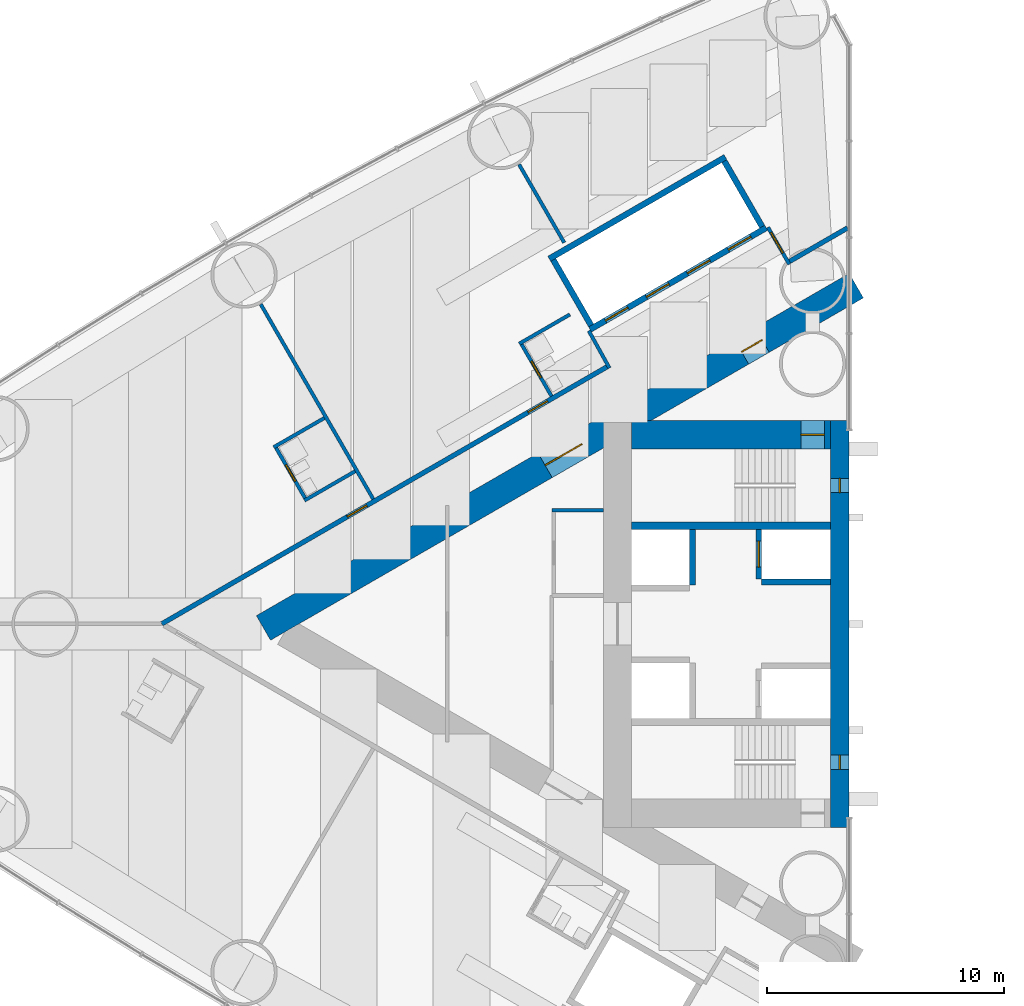
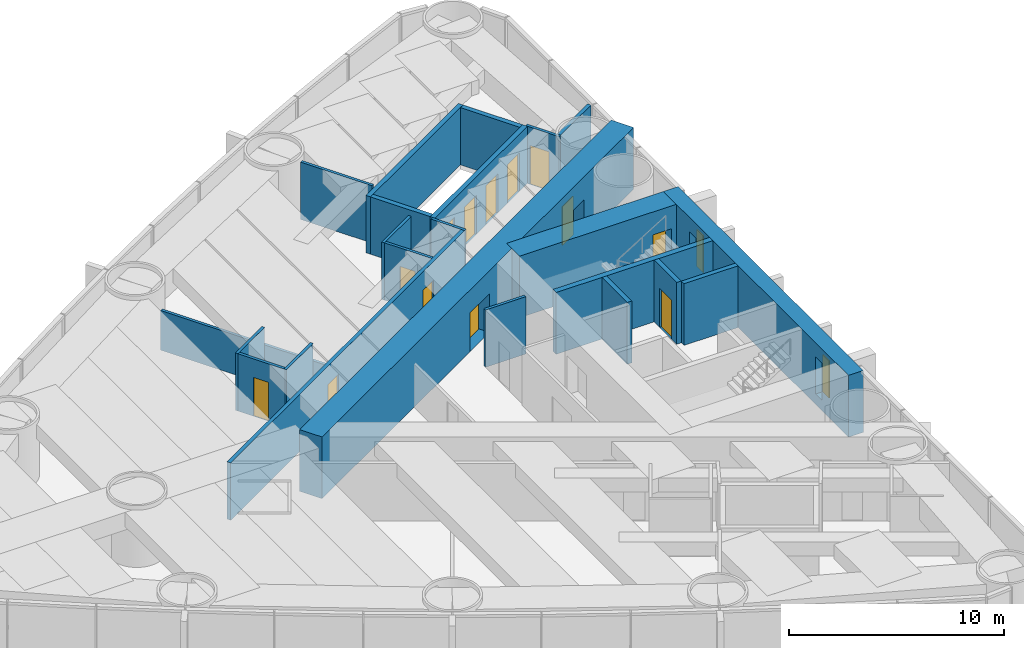
# One storey, part 12 of 18: 23 walls, 13 doors, 2 windows, 15 openings.
"""IFC4 building model written with IfcOpenShell, lengths in metres."""

from ifc_helpers import new_model, si_unit, direction, frame, frame_2d, origin, place, context, subcontext, project, spatial, rectangle, extrude, material, layer, layer_set, type_object, element, fill, save


model = new_model("IFC4")

# Units and contexts
model_context = context("Model", 3, precision=1e-05, world=origin(), true_north=direction((0.0, 1.0)))
body_context = subcontext(model_context, "Body", "Model", "MODEL_VIEW")
ifc_project = project(units=[si_unit("LENGTHUNIT", "METRE"), si_unit("AREAUNIT", "SQUARE_METRE"), si_unit("VOLUMEUNIT", "CUBIC_METRE"), si_unit("PLANEANGLEUNIT", "RADIAN"), si_unit("MASSUNIT", "GRAM", prefix="KILO")], contexts=[model_context])

# Site, building, storey
site_placement = place(None, origin())
site = spatial("IfcSite", under=ifc_project, at=site_placement, CompositionType="ELEMENT")
building_placement = place(site_placement, origin())
building = spatial("IfcBuilding", under=site, at=building_placement, Name="Lancet Gate Hotel", CompositionType="ELEMENT")
storey_placement = place(building_placement, frame((0.0, 0.0, 42.5)))
storey = spatial("IfcBuildingStorey", under=building, at=storey_placement, Name="L10", CompositionType="ELEMENT", Elevation=42.5)

# Wall
ifc_material_1 = material(Name="Moisture resistant board partition")
ifc_layer_1 = layer(ifc_material_1, 0.14990234375)
ifc_layer_set_1 = layer_set([ifc_layer_1], Name="Bathroom wall 150")
wall_type_1 = type_object("IfcWallType", Name="Bathroom wall 150", PredefinedType="PARTITIONING", material=ifc_layer_set_1)
wall_1_placement = place(storey_placement, frame((-49.691650390625, 8.704345703125, 0.0), z_axis=(0.0, 0.0, 1.0), x_axis=(-0.866073894602, -0.499916002032, 0.0)))
element("IfcWall", 1, at=wall_1_placement, inside=storey, type_object=wall_type_1, Name="T1 bathroom wall 150 L10", PredefinedType="PARTITIONING", context=body_context, shape_type="SweptSolid", body=[
    extrude(rectangle(XDim=2.47509765625, YDim=0.14990234375, at=frame_2d((1.237548828125, 0.0))), origin(), (0.0, 0.0, 1.0), 3.25),
])

# Wall, opening, door
wall_2_placement = place(storey_placement, frame((-50.47021484375, 5.252685546875, 0.0), z_axis=(0.0, 0.0, 1.0), x_axis=(-0.500006934395, 0.866021400173, 0.0)))
wall_2 = element("IfcWall", 2, at=wall_2_placement, inside=storey, type_object=wall_type_1, Name="T1 bathroom wall 150 L10", PredefinedType="PARTITIONING", context=body_context, shape_type="SweptSolid", body=[
    extrude(rectangle(XDim=2.60009765625, YDim=0.14990234375, at=frame_2d((1.300048828125, 0.0))), origin(), (0.0, 0.0, 1.0), 3.25),
])
opening_1_placement = place(wall_2_placement, frame((0.89990234375, 0.0, 0.0)))
opening_1 = element("IfcOpeningElement", 3, at=opening_1_placement, cuts=wall_2, Name="Opening 1003-B", PredefinedType="OPENING", context=body_context, shape_type="SweptSolid", body=[
    extrude(rectangle(XDim=0.800048828125, YDim=2.199951171875, at=frame_2d((0.39990234375, 1.10009765625))), frame((0.0, 0.0849609375, 0.0), z_axis=(0.0, -1.0, 0.0), x_axis=(1.0, 0.0, 0.0)), (0.0, 0.0, 1.0), 0.169921875),
])
ifc_material_2 = material(Name="Timber door set", Category="wood")
door_type_1 = type_object("IfcDoorType", Name="Bathroom door 800", OperationType="SINGLE_SWING_RIGHT", PredefinedType="DOOR", material=ifc_material_2)
door_1_placement = place(opening_1_placement, origin())
door_1 = element("IfcDoor", 4, at=door_1_placement, inside=storey, type_object=door_type_1, Name="1003-B", OperationType="SINGLE_SWING_RIGHT", OverallHeight=2.199951171875, OverallWidth=0.800048828125, PredefinedType="DOOR", context=body_context, shape_type="SweptSolid", body=[
    extrude(rectangle(XDim=0.800048828125, YDim=2.199951171875, at=frame_2d((0.39990234375, 1.10009765625))), frame((0.0, 0.02490234375, 0.0), z_axis=(0.0, -1.0, 0.0), x_axis=(1.0, 0.0, 0.0)), (0.0, 0.0, 1.0), 0.050048828125),
])
fill(opening_1, door_1)

# Walls
wall_3_placement = place(storey_placement, frame((-48.391845703125, 6.45263671875, 0.0), z_axis=(0.0, 0.0, 1.0), x_axis=(-0.86604923931, -0.499958713387, 0.0)))
element("IfcWall", 5, at=wall_3_placement, inside=storey, type_object=wall_type_1, Name="T1 bathroom wall 150 L10", PredefinedType="PARTITIONING", context=body_context, shape_type="SweptSolid", body=[
    extrude(rectangle(XDim=2.474853515625, YDim=0.14990234375, at=frame_2d((1.2373046875, 0.0))), origin(), (0.0, 0.0, 1.0), 3.25),
])
wall_4_placement = place(storey_placement, frame((-39.309814453125, 13.081787109375, 0.0), z_axis=(0.0, 0.0, 1.0), x_axis=(-0.866031185235, -0.4999899861, 0.0)))
element("IfcWall", 6, at=wall_4_placement, inside=storey, type_object=wall_type_1, Name="T1 bathroom wall 150 L10", PredefinedType="PARTITIONING", context=body_context, shape_type="SweptSolid", body=[
    extrude(rectangle(XDim=2.47509765625, YDim=0.14990234375, at=frame_2d((1.237548828125, 0.0))), origin(), (0.0, 0.0, 1.0), 3.25),
])

# Wall, opening, door
wall_5_placement = place(storey_placement, frame((-40.08837890625, 9.630126953125, 0.0), z_axis=(0.0, 0.0, 1.0), x_axis=(-0.500006934395, 0.866021400173, 0.0)))
wall_5 = element("IfcWall", 7, at=wall_5_placement, inside=storey, type_object=wall_type_1, Name="T1 bathroom wall 150 L10", PredefinedType="PARTITIONING", context=body_context, shape_type="SweptSolid", body=[
    extrude(rectangle(XDim=2.60009765625, YDim=0.14990234375, at=frame_2d((1.300048828125, 0.0))), origin(), (0.0, 0.0, 1.0), 3.25),
])
opening_2_placement = place(wall_5_placement, frame((0.89990234375, 0.0, 0.0)))
opening_2 = element("IfcOpeningElement", 8, at=opening_2_placement, cuts=wall_5, Name="Opening 1002-B", PredefinedType="OPENING", context=body_context, shape_type="SweptSolid", body=[
    extrude(rectangle(XDim=0.800048828125, YDim=2.199951171875, at=frame_2d((0.39990234375, 1.10009765625))), frame((0.0, 0.0849609375, 0.0), z_axis=(0.0, -1.0, 0.0), x_axis=(1.0, 0.0, 0.0)), (0.0, 0.0, 1.0), 0.169921875),
])
door_2_placement = place(opening_2_placement, origin())
door_2 = element("IfcDoor", 9, at=door_2_placement, inside=storey, type_object=door_type_1, Name="1002-B", OperationType="SINGLE_SWING_RIGHT", OverallHeight=2.199951171875, OverallWidth=0.800048828125, PredefinedType="DOOR", context=body_context, shape_type="SweptSolid", body=[
    extrude(rectangle(XDim=0.800048828125, YDim=2.199951171875, at=frame_2d((0.39990234375, 1.10009765625))), frame((0.0, 0.02490234375, 0.0), z_axis=(0.0, -1.0, 0.0), x_axis=(1.0, 0.0, 0.0)), (0.0, 0.0, 1.0), 0.050048828125),
])
fill(opening_2, door_2)

# Wall, openings, doors
ifc_material_3 = material(Name="Concrete C70/85", Category="concrete")
ifc_layer_2 = layer(ifc_material_3, 1.199951171875)
ifc_layer_set_2 = layer_set([ifc_layer_2], Name="Buttress wall 1200")
wall_type_2 = type_object("IfcWallType", Name="Buttress wall 1200", PredefinedType="SHEAR", material=ifc_layer_set_2)
wall_6_placement = place(storey_placement, frame((-27.199951171875, 14.300048828125, 0.0), z_axis=(0.0, 0.0, 1.0), x_axis=(-0.866026593062, -0.499997940104, 0.0)))
wall_6 = element("IfcWall", 10, at=wall_6_placement, inside=storey, type_object=wall_type_2, Name="T1 buttress wall S L10", PredefinedType="SHEAR", context=body_context, shape_type="SweptSolid", body=[
    extrude(rectangle(XDim=28.9462890625, YDim=1.199951171875, at=frame_2d((14.47314453125, 0.0))), origin(), (0.0, 0.0, 1.0), 3.5),
])
opening_3_placement = place(wall_6_placement, frame((4.60009765625, 0.0, 0.0)))
opening_3 = element("IfcOpeningElement", 11, at=opening_3_placement, cuts=wall_6, Name="Opening T1-L10-LS", PredefinedType="OPENING", context=body_context, shape_type="SweptSolid", body=[
    extrude(rectangle(XDim=1.0, YDim=2.199951171875, at=frame_2d((0.5, 1.10009765625))), frame((0.0, 0.60986328125, 0.0), z_axis=(0.0, -1.0, 0.0), x_axis=(1.0, 0.0, 0.0)), (0.0, 0.0, 1.0), 1.219970703125),
])
opening_4_placement = place(wall_6_placement, frame((13.39453125, 0.0, 0.0)))
opening_4 = element("IfcOpeningElement", 12, at=opening_4_placement, cuts=wall_6, Name="Opening T1-L10-LHS", PredefinedType="OPENING", context=body_context, shape_type="SweptSolid", body=[
    extrude(rectangle(XDim=1.800048828125, YDim=2.199951171875, at=frame_2d((0.89990234375, 1.10009765625))), frame((0.0, 0.60986328125, 0.0), z_axis=(0.0, -1.0, 0.0), x_axis=(1.0, 0.0, 0.0)), (0.0, 0.0, 1.0), 1.219970703125),
])
ifc_material_4 = material(Name="Timber door set", Category="wood")
door_type_2 = type_object("IfcDoorType", Name="Lobby double door 1800", OperationType="DOUBLE_DOOR_SINGLE_SWING", PredefinedType="DOOR", material=ifc_material_4)
door_3_placement = place(opening_4_placement, origin())
door_3 = element("IfcDoor", 13, at=door_3_placement, inside=storey, type_object=door_type_2, Name="T1-L10-LHS", OperationType="DOUBLE_DOOR_SINGLE_SWING", OverallHeight=2.199951171875, OverallWidth=1.800048828125, PredefinedType="DOOR", context=body_context, shape_type="SweptSolid", body=[
    extrude(rectangle(XDim=1.800048828125, YDim=2.199951171875, at=frame_2d((0.89990234375, 1.10009765625))), frame((0.0, 0.02490234375, 0.0), z_axis=(0.0, -1.0, 0.0), x_axis=(1.0, 0.0, 0.0)), (0.0, 0.0, 1.0), 0.050048828125),
])
fill(opening_4, door_3)
ifc_material_5 = material(Name="Timber door set", Category="wood")
door_type_3 = type_object("IfcDoorType", Name="Stair lobby door 1000", OperationType="SINGLE_SWING_LEFT", PredefinedType="DOOR", material=ifc_material_5)
door_4_placement = place(opening_3_placement, origin())
door_4 = element("IfcDoor", 14, at=door_4_placement, inside=storey, type_object=door_type_3, Name="T1-L10-LS", OperationType="SINGLE_SWING_LEFT", OverallHeight=2.199951171875, OverallWidth=1.0, PredefinedType="DOOR", context=body_context, shape_type="SweptSolid", body=[
    extrude(rectangle(XDim=1.0, YDim=2.199951171875, at=frame_2d((0.5, 1.10009765625))), frame((0.0, 0.02490234375, 0.0), z_axis=(0.0, -1.0, 0.0), x_axis=(1.0, 0.0, 0.0)), (0.0, 0.0, 1.0), 0.050048828125),
])
fill(opening_3, door_4)

# Wall, opening, door
ifc_material_6 = material(Name="Concrete C70/85", Category="concrete")
ifc_layer_3 = layer(ifc_material_6, 1.199951171875)
ifc_layer_set_3 = layer_set([ifc_layer_3], Name="Core wall 1200")
wall_type_3 = type_object("IfcWallType", Name="Core wall 1200", PredefinedType="SHEAR", material=ifc_layer_set_3)
wall_7_placement = place(storey_placement, frame((-28.300048828125, 8.0, 0.0), z_axis=(0.0, 0.0, 1.0), x_axis=(-1.0, 0.0, 0.0)))
wall_7 = element("IfcWall", 15, at=wall_7_placement, inside=storey, type_object=wall_type_3, Name="T1 core wall side-S L10", PredefinedType="SHEAR", context=body_context, shape_type="SweptSolid", body=[
    extrude(rectangle(XDim=8.39990234375, YDim=1.199951171875, at=frame_2d((4.199951171875, 0.0))), origin(), (0.0, 0.0, 1.0), 3.5),
])
opening_5_placement = place(wall_7_placement, frame((0.25, 0.0, 0.0)))
opening_5 = element("IfcOpeningElement", 16, at=opening_5_placement, cuts=wall_7, Name="Opening T1-L10-ST1", PredefinedType="OPENING", context=body_context, shape_type="SweptSolid", body=[
    extrude(rectangle(XDim=1.0, YDim=2.199951171875, at=frame_2d((0.5, 1.10009765625))), frame((0.0, 0.60986328125, 0.0), z_axis=(0.0, -1.0, 0.0), x_axis=(1.0, 0.0, 0.0)), (0.0, 0.0, 1.0), 1.219970703125),
])
ifc_material_7 = material(Name="Timber door set", Category="wood")
door_type_4 = type_object("IfcDoorType", Name="Stair door 1000", OperationType="SINGLE_SWING_RIGHT", PredefinedType="DOOR", material=ifc_material_7)
door_5_placement = place(opening_5_placement, origin())
door_5 = element("IfcDoor", 17, at=door_5_placement, inside=storey, type_object=door_type_4, Name="T1-L10-ST1", OperationType="SINGLE_SWING_RIGHT", OverallHeight=2.199951171875, OverallWidth=1.0, PredefinedType="DOOR", context=body_context, shape_type="SweptSolid", body=[
    extrude(rectangle(XDim=1.0, YDim=2.199951171875, at=frame_2d((0.5, 1.10009765625))), frame((0.0, 0.02490234375, 0.0), z_axis=(0.0, -1.0, 0.0), x_axis=(1.0, 0.0, 0.0)), (0.0, 0.0, 1.0), 0.050048828125),
])
fill(opening_5, door_5)

# Wall, openings, windows
ifc_material_8 = material(Name="Concrete C70/85", Category="concrete")
ifc_layer_4 = layer(ifc_material_8, 0.800048828125)
ifc_layer_set_4 = layer_set([ifc_layer_4], Name="Core wall 800")
wall_type_4 = type_object("IfcWallType", Name="Core wall 800", PredefinedType="SHEAR", material=ifc_layer_set_4)
wall_8_placement = place(storey_placement, frame((-27.89990234375, 8.60009765625, 0.0), z_axis=(0.0, 0.0, 1.0), x_axis=(0.0, -1.0, 0.0)))
wall_8 = element("IfcWall", 18, at=wall_8_placement, inside=storey, type_object=wall_type_4, Name="T1 core wall front L10", PredefinedType="SHEAR", context=body_context, shape_type="SweptSolid", body=[
    extrude(rectangle(XDim=17.2001953125, YDim=0.800048828125, at=frame_2d((8.60009765625, 0.0))), origin(), (0.0, 0.0, 1.0), 3.5),
])
opening_6_placement = place(wall_8_placement, frame((2.449951171875, 0.0, 0.60009765625)))
opening_6 = element("IfcOpeningElement", 19, at=opening_6_placement, cuts=wall_8, Name="Opening LW1", PredefinedType="OPENING", context=body_context, shape_type="SweptSolid", body=[
    extrude(rectangle(XDim=0.60009765625, YDim=2.10009765625, at=frame_2d((0.300048828125, 1.050048828125))), frame((0.0, 0.409912109375, 0.0), z_axis=(0.0, -1.0, 0.0), x_axis=(1.0, 0.0, 0.0)), (0.0, 0.0, 1.0), 0.820068359375),
])
opening_7_placement = place(wall_8_placement, frame((14.14990234375, 0.0, 0.60009765625)))
opening_7 = element("IfcOpeningElement", 20, at=opening_7_placement, cuts=wall_8, Name="Opening LW1", PredefinedType="OPENING", context=body_context, shape_type="SweptSolid", body=[
    extrude(rectangle(XDim=0.60009765625, YDim=2.10009765625, at=frame_2d((0.300048828125, 1.050048828125))), frame((0.0, 0.409912109375, 0.0), z_axis=(0.0, -1.0, 0.0), x_axis=(1.0, 0.0, 0.0)), (0.0, 0.0, 1.0), 0.820068359375),
])
ifc_material_9 = material(Name="Fire-resisting glazed steel window", Category="steel")
window_type = type_object("IfcWindowType", Name="Lancet window 600x2100", PartitioningType="SINGLE_PANEL", PredefinedType="WINDOW", material=ifc_material_9)
window_1_placement = place(opening_6_placement, origin())
window_1 = element("IfcWindow", 21, at=window_1_placement, inside=storey, type_object=window_type, Name="T1 stair window S L10", OverallHeight=2.10009765625, OverallWidth=0.60009765625, PartitioningType="SINGLE_PANEL", PredefinedType="WINDOW", context=body_context, shape_type="SweptSolid", body=[
    extrude(rectangle(XDim=0.60009765625, YDim=2.10009765625, at=frame_2d((0.300048828125, 1.050048828125))), frame((0.0, 0.030029296875, 0.0), z_axis=(0.0, -1.0, 0.0), x_axis=(1.0, 0.0, 0.0)), (0.0, 0.0, 1.0), 0.06005859375),
])
fill(opening_6, window_1)
window_2_placement = place(opening_7_placement, origin())
window_2 = element("IfcWindow", 22, at=window_2_placement, inside=storey, type_object=window_type, Name="T1 stair window N L10", OverallHeight=2.10009765625, OverallWidth=0.60009765625, PartitioningType="SINGLE_PANEL", PredefinedType="WINDOW", context=body_context, shape_type="SweptSolid", body=[
    extrude(rectangle(XDim=0.60009765625, YDim=2.10009765625, at=frame_2d((0.300048828125, 1.050048828125))), frame((0.0, 0.030029296875, 0.0), z_axis=(0.0, -1.0, 0.0), x_axis=(1.0, 0.0, 0.0)), (0.0, 0.0, 1.0), 0.06005859375),
])
fill(opening_7, window_2)

# Wall
ifc_material_10 = material(Name="Gypsum board partition")
ifc_layer_5 = layer(ifc_material_10, 0.199951171875)
ifc_layer_set_5 = layer_set([ifc_layer_5], Name="Corridor wall 200")
wall_type_5 = type_object("IfcWallType", Name="Corridor wall 200", PredefinedType="PARTITIONING", material=ifc_layer_set_5)
wall_9_placement = place(storey_placement, frame((-27.572021484375, 16.740966796875, 0.0), z_axis=(0.0, 0.0, 1.0), x_axis=(-0.866034618596, -0.499984039138, 0.0)))
element("IfcWall", 23, at=wall_9_placement, inside=storey, type_object=wall_type_5, Name="T1 corridor wall 200 L10", PredefinedType="PARTITIONING", context=body_context, shape_type="SweptSolid", body=[
    extrude(rectangle(XDim=2.8544921875, YDim=0.199951171875, at=frame_2d((1.42724609375, 0.0))), origin(), (0.0, 0.0, 1.0), 3.25),
])

# Wall, openings, doors
wall_10_placement = place(storey_placement, frame((-37.699951171875, 10.8935546875, 0.0), z_axis=(0.0, 0.0, 1.0), x_axis=(-0.866027905338, -0.499995667157, 0.0)))
wall_10 = element("IfcWall", 24, at=wall_10_placement, inside=storey, type_object=wall_type_5, Name="T1 corridor wall 200 L10", PredefinedType="PARTITIONING", context=body_context, shape_type="SweptSolid", body=[
    extrude(rectangle(XDim=21.787353515625, YDim=0.199951171875, at=frame_2d((10.8935546875, 0.0))), origin(), (0.0, 0.0, 1.0), 3.25),
])
opening_8_placement = place(wall_10_placement, frame((11.77978515625, 0.0, 0.0)))
opening_8 = element("IfcOpeningElement", 25, at=opening_8_placement, cuts=wall_10, Name="Opening 1003-E", PredefinedType="OPENING", context=body_context, shape_type="SweptSolid", body=[
    extrude(rectangle(XDim=0.949951171875, YDim=2.199951171875, at=frame_2d((0.47509765625, 1.10009765625))), frame((0.0, 0.10986328125, 0.0), z_axis=(0.0, -1.0, 0.0), x_axis=(1.0, 0.0, 0.0)), (0.0, 0.0, 1.0), 0.219970703125),
])
opening_9_placement = place(wall_10_placement, frame((2.949951171875, 0.0, 0.0)))
opening_9 = element("IfcOpeningElement", 26, at=opening_9_placement, cuts=wall_10, Name="Opening 1002-E", PredefinedType="OPENING", context=body_context, shape_type="SweptSolid", body=[
    extrude(rectangle(XDim=0.949951171875, YDim=2.199951171875, at=frame_2d((0.47509765625, 1.10009765625))), frame((0.0, 0.10986328125, 0.0), z_axis=(0.0, -1.0, 0.0), x_axis=(1.0, 0.0, 0.0)), (0.0, 0.0, 1.0), 0.219970703125),
])
ifc_material_11 = material(Name="Timber door set", Category="wood")
door_type_5 = type_object("IfcDoorType", Name="Guest room entry door 950", OperationType="SINGLE_SWING_LEFT", PredefinedType="DOOR", material=ifc_material_11)
door_6_placement = place(opening_8_placement, origin())
door_6 = element("IfcDoor", 27, at=door_6_placement, inside=storey, type_object=door_type_5, Name="1003-E", OperationType="SINGLE_SWING_LEFT", OverallHeight=2.199951171875, OverallWidth=0.949951171875, PredefinedType="DOOR", context=body_context, shape_type="SweptSolid", body=[
    extrude(rectangle(XDim=0.949951171875, YDim=2.199951171875, at=frame_2d((0.47509765625, 1.10009765625))), frame((0.0, 0.02490234375, 0.0), z_axis=(0.0, -1.0, 0.0), x_axis=(1.0, 0.0, 0.0)), (0.0, 0.0, 1.0), 0.050048828125),
])
fill(opening_8, door_6)
door_7_placement = place(opening_9_placement, origin())
door_7 = element("IfcDoor", 28, at=door_7_placement, inside=storey, type_object=door_type_5, Name="1002-E", OperationType="SINGLE_SWING_LEFT", OverallHeight=2.199951171875, OverallWidth=0.949951171875, PredefinedType="DOOR", context=body_context, shape_type="SweptSolid", body=[
    extrude(rectangle(XDim=0.949951171875, YDim=2.199951171875, at=frame_2d((0.47509765625, 1.10009765625))), frame((0.0, 0.02490234375, 0.0), z_axis=(0.0, -1.0, 0.0), x_axis=(1.0, 0.0, 0.0)), (0.0, 0.0, 1.0), 0.050048828125),
])
fill(opening_9, door_7)

ifc_material_12 = material(Name="Gypsum board partition")
ifc_layer_6 = layer(ifc_material_12, 0.25)
ifc_layer_set_6 = layer_set([ifc_layer_6], Name="Lift shaft partition 250")
wall_type_6 = type_object("IfcWallType", Name="Lift shaft partition 250", PredefinedType="PARTITIONING", material=ifc_layer_set_6)
wall_11_placement = place(storey_placement, frame((-31.010498046875, 16.747314453125, 0.0), z_axis=(0.0, 0.0, 1.0), x_axis=(-0.866028165386, -0.499995216735, 0.0)))
wall_11 = element("IfcWall", 29, at=wall_11_placement, inside=storey, type_object=wall_type_6, Name="T1 lift shaft wall LR L10", PredefinedType="PARTITIONING", context=body_context, shape_type="SweptSolid", body=[
    extrude(rectangle(XDim=8.60009765625, YDim=0.25, at=frame_2d((4.300048828125, 0.0))), origin(), (0.0, 0.0, 1.0), 3.25),
])
opening_10_placement = place(wall_11_placement, frame((0.75, 0.0, 0.0)))
opening_10 = element("IfcOpeningElement", 30, at=opening_10_placement, cuts=wall_11, Name="Opening T1-LR1-L10", PredefinedType="OPENING", context=body_context, shape_type="SweptSolid", body=[
    extrude(rectangle(XDim=1.10009765625, YDim=2.199951171875, at=frame_2d((0.550048828125, 1.10009765625))), frame((0.0, 0.135009765625, 0.0), z_axis=(0.0, -1.0, 0.0), x_axis=(1.0, 0.0, 0.0)), (0.0, 0.0, 1.0), 0.27001953125),
])
opening_11_placement = place(wall_11_placement, frame((2.75, 0.0, 0.0)))
opening_11 = element("IfcOpeningElement", 31, at=opening_11_placement, cuts=wall_11, Name="Opening T1-LR2-L10", PredefinedType="OPENING", context=body_context, shape_type="SweptSolid", body=[
    extrude(rectangle(XDim=1.10009765625, YDim=2.199951171875, at=frame_2d((0.550048828125, 1.10009765625))), frame((0.0, 0.135009765625, 0.0), z_axis=(0.0, -1.0, 0.0), x_axis=(1.0, 0.0, 0.0)), (0.0, 0.0, 1.0), 0.27001953125),
])
opening_12_placement = place(wall_11_placement, frame((4.75, 0.0, 0.0)))
opening_12 = element("IfcOpeningElement", 32, at=opening_12_placement, cuts=wall_11, Name="Opening T1-LR3-L10", PredefinedType="OPENING", context=body_context, shape_type="SweptSolid", body=[
    extrude(rectangle(XDim=1.10009765625, YDim=2.199951171875, at=frame_2d((0.550048828125, 1.10009765625))), frame((0.0, 0.135009765625, 0.0), z_axis=(0.0, -1.0, 0.0), x_axis=(1.0, 0.0, 0.0)), (0.0, 0.0, 1.0), 0.27001953125),
])
opening_13_placement = place(wall_11_placement, frame((6.75, 0.0, 0.0)))
opening_13 = element("IfcOpeningElement", 33, at=opening_13_placement, cuts=wall_11, Name="Opening T1-LR4-L10", PredefinedType="OPENING", context=body_context, shape_type="SweptSolid", body=[
    extrude(rectangle(XDim=1.10009765625, YDim=2.199951171875, at=frame_2d((0.550048828125, 1.10009765625))), frame((0.0, 0.135009765625, 0.0), z_axis=(0.0, -1.0, 0.0), x_axis=(1.0, 0.0, 0.0)), (0.0, 0.0, 1.0), 0.27001953125),
])
ifc_material_13 = material(Name="Steel door set", Category="steel")
door_type_6 = type_object("IfcDoorType", Name="Lift landing door 1100", OperationType="DOUBLE_DOOR_SLIDING", PredefinedType="USERDEFINED", material=ifc_material_13)
door_8_placement = place(opening_10_placement, origin())
door_8 = element("IfcDoor", 34, at=door_8_placement, inside=storey, type_object=door_type_6, Name="T1-LR1-L10", ObjectType="LIFT LANDING DOOR", OperationType="DOUBLE_DOOR_SLIDING", OverallHeight=2.199951171875, OverallWidth=1.10009765625, PredefinedType="USERDEFINED", context=body_context, shape_type="SweptSolid", body=[
    extrude(rectangle(XDim=1.10009765625, YDim=2.199951171875, at=frame_2d((0.550048828125, 1.10009765625))), frame((0.0, 0.02490234375, 0.0), z_axis=(0.0, -1.0, 0.0), x_axis=(1.0, 0.0, 0.0)), (0.0, 0.0, 1.0), 0.050048828125),
])
fill(opening_10, door_8)
door_9_placement = place(opening_11_placement, origin())
door_9 = element("IfcDoor", 35, at=door_9_placement, inside=storey, type_object=door_type_6, Name="T1-LR2-L10", ObjectType="LIFT LANDING DOOR", OperationType="DOUBLE_DOOR_SLIDING", OverallHeight=2.199951171875, OverallWidth=1.10009765625, PredefinedType="USERDEFINED", context=body_context, shape_type="SweptSolid", body=[
    extrude(rectangle(XDim=1.10009765625, YDim=2.199951171875, at=frame_2d((0.550048828125, 1.10009765625))), frame((0.0, 0.02490234375, 0.0), z_axis=(0.0, -1.0, 0.0), x_axis=(1.0, 0.0, 0.0)), (0.0, 0.0, 1.0), 0.050048828125),
])
fill(opening_11, door_9)
door_10_placement = place(opening_12_placement, origin())
door_10 = element("IfcDoor", 36, at=door_10_placement, inside=storey, type_object=door_type_6, Name="T1-LR3-L10", ObjectType="LIFT LANDING DOOR", OperationType="DOUBLE_DOOR_SLIDING", OverallHeight=2.199951171875, OverallWidth=1.10009765625, PredefinedType="USERDEFINED", context=body_context, shape_type="SweptSolid", body=[
    extrude(rectangle(XDim=1.10009765625, YDim=2.199951171875, at=frame_2d((0.550048828125, 1.10009765625))), frame((0.0, 0.02490234375, 0.0), z_axis=(0.0, -1.0, 0.0), x_axis=(1.0, 0.0, 0.0)), (0.0, 0.0, 1.0), 0.050048828125),
])
fill(opening_12, door_10)
door_11_placement = place(opening_13_placement, origin())
door_11 = element("IfcDoor", 37, at=door_11_placement, inside=storey, type_object=door_type_6, Name="T1-LR4-L10", ObjectType="LIFT LANDING DOOR", OperationType="DOUBLE_DOOR_SLIDING", OverallHeight=2.199951171875, OverallWidth=1.10009765625, PredefinedType="USERDEFINED", context=body_context, shape_type="SweptSolid", body=[
    extrude(rectangle(XDim=1.10009765625, YDim=2.199951171875, at=frame_2d((0.550048828125, 1.10009765625))), frame((0.0, 0.02490234375, 0.0), z_axis=(0.0, -1.0, 0.0), x_axis=(1.0, 0.0, 0.0)), (0.0, 0.0, 1.0), 0.050048828125),
])
fill(opening_13, door_11)

# Walls
wall_12_placement = place(storey_placement, frame((-32.735595703125, 19.73583984375, 0.0), z_axis=(0.0, 0.0, 1.0), x_axis=(-0.866028165386, -0.499995216735, 0.0)))
element("IfcWall", 38, at=wall_12_placement, inside=storey, type_object=wall_type_6, Name="T1 lift shaft wall LR L10", PredefinedType="PARTITIONING", context=body_context, shape_type="SweptSolid", body=[
    extrude(rectangle(XDim=8.60009765625, YDim=0.25, at=frame_2d((4.300048828125, 0.0))), origin(), (0.0, 0.0, 1.0), 3.25),
])
wall_13_placement = place(storey_placement, frame((-31.18115234375, 16.79296875, 0.0), z_axis=(0.0, 0.0, 1.0), x_axis=(-0.499929347863, 0.866066190972, 0.0)))
element("IfcWall", 39, at=wall_13_placement, inside=storey, type_object=wall_type_6, Name="T1 lift shaft wall LR L10", PredefinedType="PARTITIONING", context=body_context, shape_type="SweptSolid", body=[
    extrude(rectangle(XDim=3.20068359375, YDim=0.25, at=frame_2d((1.600341796875, 0.0))), origin(), (0.0, 0.0, 1.0), 3.25),
])
wall_14_placement = place(storey_placement, frame((-38.412841796875, 12.617919921875, 0.0), z_axis=(0.0, 0.0, 1.0), x_axis=(-0.499872130319, 0.866099216793, 0.0)))
element("IfcWall", 40, at=wall_14_placement, inside=storey, type_object=wall_type_6, Name="T1 lift shaft wall LR L10", PredefinedType="PARTITIONING", context=body_context, shape_type="SweptSolid", body=[
    extrude(rectangle(XDim=3.200439453125, YDim=0.25, at=frame_2d((1.60009765625, 0.0))), origin(), (0.0, 0.0, 1.0), 3.25),
])

# Wall, opening, door
ifc_material_14 = material(Name="Concrete C50/60", Category="concrete")
ifc_layer_7 = layer(ifc_material_14, 0.25)
ifc_layer_set_7 = layer_set([ifc_layer_7], Name="Lift shaft wall 250")
wall_type_7 = type_object("IfcWallType", Name="Lift shaft wall 250", PredefinedType="SHEAR", material=ifc_layer_set_7)
wall_15_placement = place(storey_placement, frame((-31.324951171875, 4.0, 0.0), z_axis=(0.0, 0.0, 1.0), x_axis=(0.0, -1.0, 0.0)))
wall_15 = element("IfcWall", 41, at=wall_15_placement, inside=storey, type_object=wall_type_7, Name="T1 core wall row1-S L10", PredefinedType="SHEAR", context=body_context, shape_type="SweptSolid", body=[
    extrude(rectangle(XDim=2.10009765625, YDim=0.25, at=frame_2d((1.050048828125, 0.0))), origin(), (0.0, 0.0, 1.0), 3.5),
])
opening_14_placement = place(wall_15_placement, frame((0.5, 0.0, 0.0)))
opening_14 = element("IfcOpeningElement", 42, at=opening_14_placement, cuts=wall_15, Name="Opening T1-SL1-L10", PredefinedType="OPENING", context=body_context, shape_type="SweptSolid", body=[
    extrude(rectangle(XDim=1.10009765625, YDim=2.199951171875, at=frame_2d((0.550048828125, 1.10009765625))), frame((0.0, 0.135009765625, 0.0), z_axis=(0.0, -1.0, 0.0), x_axis=(1.0, 0.0, 0.0)), (0.0, 0.0, 1.0), 0.27001953125),
])
ifc_material_15 = material(Name="Timber door set", Category="wood")
door_type_7 = type_object("IfcDoorType", Name="Service lift landing door 1100", OperationType="SLIDING_TO_LEFT", PredefinedType="USERDEFINED", material=ifc_material_15)
door_12_placement = place(opening_14_placement, origin())
door_12 = element("IfcDoor", 43, at=door_12_placement, inside=storey, type_object=door_type_7, Name="T1-SL1-L10", ObjectType="LIFT LANDING DOOR", OperationType="SLIDING_TO_LEFT", OverallHeight=2.199951171875, OverallWidth=1.10009765625, PredefinedType="USERDEFINED", context=body_context, shape_type="SweptSolid", body=[
    extrude(rectangle(XDim=1.10009765625, YDim=2.199951171875, at=frame_2d((0.550048828125, 1.10009765625))), frame((0.0, 0.02490234375, 0.0), z_axis=(0.0, -1.0, 0.0), x_axis=(1.0, 0.0, 0.0)), (0.0, 0.0, 1.0), 0.050048828125),
])
fill(opening_14, door_12)

# Walls
wall_16_placement = place(storey_placement, frame((-34.125, 4.0, 0.0), z_axis=(0.0, 0.0, 1.0), x_axis=(0.0, -1.0, 0.0)))
element("IfcWall", 44, at=wall_16_placement, inside=storey, type_object=wall_type_7, Name="T1 core wall row2-S L10", PredefinedType="SHEAR", context=body_context, shape_type="SweptSolid", body=[
    extrude(rectangle(XDim=2.35009765625, YDim=0.25, at=frame_2d((1.175048828125, 0.0))), origin(), (0.0, 0.0, 1.0), 3.5),
])
wall_17_placement = place(storey_placement, frame((-28.300048828125, 1.77490234375, 0.0), z_axis=(0.0, 0.0, 1.0), x_axis=(-1.0, 0.0, 0.0)))
element("IfcWall", 45, at=wall_17_placement, inside=storey, type_object=wall_type_7, Name="T1 core wall pass1-S L10", PredefinedType="SHEAR", context=body_context, shape_type="SweptSolid", body=[
    extrude(rectangle(XDim=2.89990234375, YDim=0.25, at=frame_2d((1.449951171875, 0.0))), origin(), (0.0, 0.0, 1.0), 3.5),
])
ifc_material_16 = material(Name="Gypsum board partition")
ifc_layer_8 = layer(ifc_material_16, 0.14990234375)
ifc_layer_set_8 = layer_set([ifc_layer_8], Name="Party wall 150")
wall_type_8 = type_object("IfcWallType", Name="Party wall 150", PredefinedType="PARTITIONING", material=ifc_layer_set_8)
wall_18_placement = place(storey_placement, frame((-47.626708984375, 5.27783203125, 0.0), z_axis=(0.0, 0.0, 1.0), x_axis=(-0.500009844318, 0.86601972009, 0.0)))
element("IfcWall", 46, at=wall_18_placement, inside=storey, type_object=wall_type_8, Name="T1 party wall 150 L10", PredefinedType="PARTITIONING", context=body_context, shape_type="SweptSolid", body=[
    extrude(rectangle(XDim=9.510498046875, YDim=0.14990234375, at=frame_2d((4.75537109375, 0.0))), origin(), (0.0, 0.0, 1.0), 2.25),
])
wall_19_placement = place(storey_placement, frame((-39.55078125, 16.11865234375, 0.0), z_axis=(0.0, 0.0, 1.0), x_axis=(-0.500014214979, 0.866017196607, 0.0)))
element("IfcWall", 47, at=wall_19_placement, inside=storey, type_object=wall_type_8, Name="T1 party wall 150 L10", PredefinedType="PARTITIONING", context=body_context, shape_type="SweptSolid", body=[
    extrude(rectangle(XDim=3.81494140625, YDim=0.14990234375, at=frame_2d((1.907470703125, 0.0))), origin(), (0.0, 0.0, 1.0), 3.25),
])
ifc_material_17 = material(Name="Gypsum board partition")
ifc_layer_9 = layer(ifc_material_17, 0.14990234375)
ifc_layer_set_9 = layer_set([ifc_layer_9], Name="Service room wall 150")
wall_type_9 = type_object("IfcWallType", Name="Service room wall 150", PredefinedType="PARTITIONING", material=ifc_layer_set_9)
wall_20_placement = place(storey_placement, frame((-38.513427734375, 12.392333984375, 0.0), z_axis=(0.0, 0.0, 1.0), x_axis=(0.485585508183, -0.874189175317, 0.0)))
element("IfcWall", 48, at=wall_20_placement, inside=storey, type_object=wall_type_9, Name="T1 service room wall 150 L10", PredefinedType="PARTITIONING", context=body_context, shape_type="SweptSolid", body=[
    extrude(rectangle(XDim=1.804931640625, YDim=0.14990234375, at=frame_2d((0.90234375, 0.0))), origin(), (0.0, 0.0, 1.0), 3.25),
])

# Wall, opening, door
wall_21_placement = place(storey_placement, frame((-30.033203125, 15.20458984375, 0.0), z_axis=(0.0, 0.0, 1.0), x_axis=(-0.499980071345, 0.866036909293, 0.0)))
wall_21 = element("IfcWall", 49, at=wall_21_placement, inside=storey, type_object=wall_type_9, Name="T1 service room wall 150 L10", PredefinedType="PARTITIONING", context=body_context, shape_type="SweptSolid", body=[
    extrude(rectangle(XDim=1.8046875, YDim=0.14990234375, at=frame_2d((0.90234375, 0.0))), origin(), (0.0, 0.0, 1.0), 3.25),
])
opening_15_placement = place(wall_21_placement, frame((0.552001953125, 0.0, 0.0)))
opening_15 = element("IfcOpeningElement", 50, at=opening_15_placement, cuts=wall_21, Name="Opening T1-L10-LO1", PredefinedType="OPENING", context=body_context, shape_type="SweptSolid", body=[
    extrude(rectangle(XDim=1.0, YDim=2.199951171875, at=frame_2d((0.5, 1.10009765625))), frame((0.0, 0.0849609375, 0.0), z_axis=(0.0, -1.0, 0.0), x_axis=(1.0, 0.0, 0.0)), (0.0, 0.0, 1.0), 0.169921875),
])
ifc_material_18 = material(Name="Timber door set", Category="wood")
door_type_8 = type_object("IfcDoorType", Name="Service door 1000", OperationType="SINGLE_SWING_LEFT", PredefinedType="DOOR", material=ifc_material_18)
door_13_placement = place(opening_15_placement, origin())
door_13 = element("IfcDoor", 51, at=door_13_placement, inside=storey, type_object=door_type_8, Name="T1-L10-LO1", OperationType="SINGLE_SWING_LEFT", OverallHeight=2.199951171875, OverallWidth=1.0, PredefinedType="DOOR", context=body_context, shape_type="SweptSolid", body=[
    extrude(rectangle(XDim=1.0, YDim=2.199951171875, at=frame_2d((0.5, 1.10009765625))), frame((0.0, 0.02490234375, 0.0), z_axis=(0.0, -1.0, 0.0), x_axis=(1.0, 0.0, 0.0)), (0.0, 0.0, 1.0), 0.050048828125),
])
fill(opening_15, door_13)

# Walls
wall_22_placement = place(storey_placement, frame((-37.89990234375, 4.800048828125, 0.0), z_axis=(0.0, 0.0, 1.0), x_axis=(-1.0, 0.0, 0.0)))
element("IfcWall", 52, at=wall_22_placement, inside=storey, type_object=wall_type_9, Name="T1 service room wall 150 L10", PredefinedType="PARTITIONING", context=body_context, shape_type="SweptSolid", body=[
    extrude(rectangle(XDim=2.175048828125, YDim=0.14990234375, at=frame_2d((1.08740234375, 0.0))), origin(), (0.0, 0.0, 1.0), 3.25),
])
ifc_material_19 = material(Name="Concrete C50/60", Category="concrete")
ifc_layer_10 = layer(ifc_material_19, 0.300048828125)
ifc_layer_set_10 = layer_set([ifc_layer_10], Name="Stair enclosure wall 300")
wall_type_10 = type_object("IfcWallType", Name="Stair enclosure wall 300", PredefinedType="SHEAR", material=ifc_layer_set_10)
wall_23_placement = place(storey_placement, frame((-28.300048828125, 4.14990234375, 0.0), z_axis=(0.0, 0.0, 1.0), x_axis=(-1.0, 0.0, 0.0)))
element("IfcWall", 53, at=wall_23_placement, inside=storey, type_object=wall_type_10, Name="T1 core wall stair-S L10", PredefinedType="SHEAR", context=body_context, shape_type="SweptSolid", body=[
    extrude(rectangle(XDim=8.39990234375, YDim=0.300048828125, at=frame_2d((4.199951171875, 0.0))), origin(), (0.0, 0.0, 1.0), 3.5),
])

save(model, "model.ifc")
